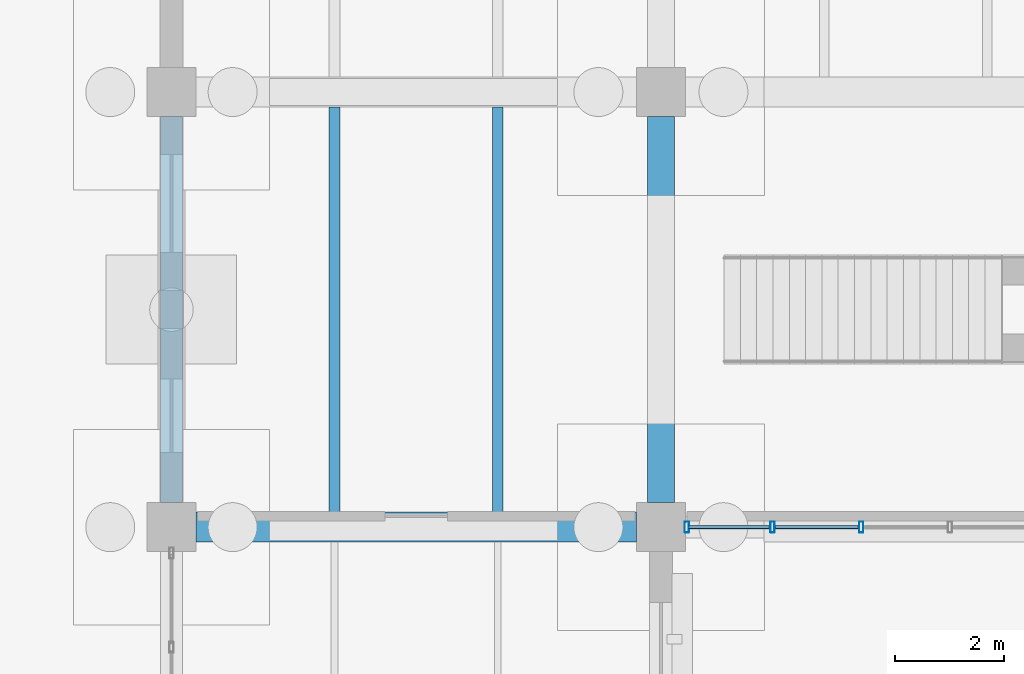
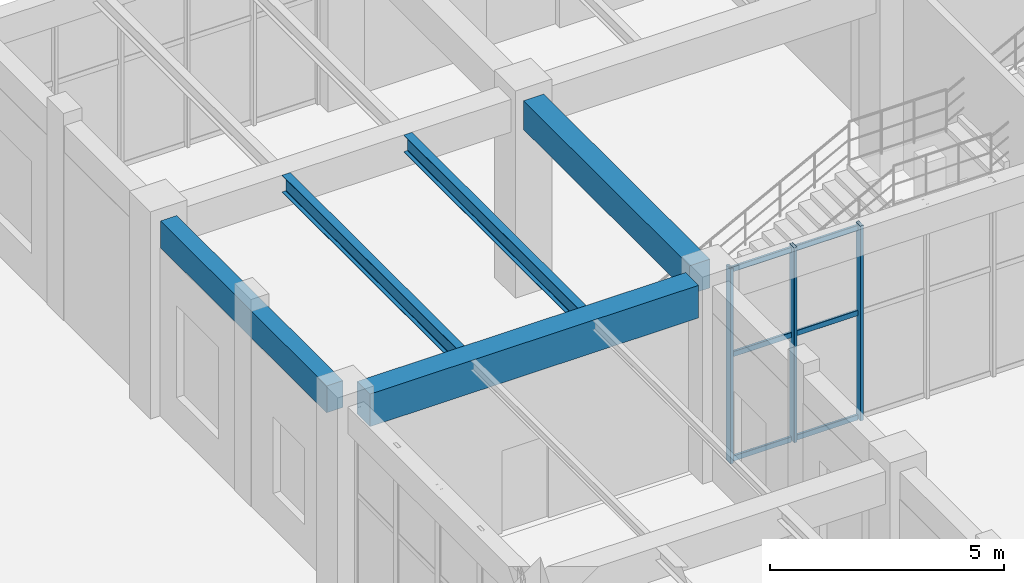
# One storey, part 48 of 121: 9 members, 5 beams, 1 element without a shape of its own.
"""IFC4 building model written with IfcOpenShell, lengths in metres."""

from ifc_helpers import new_model, si_unit, derived_unit, direction, frame, origin, origin_2d, place, context, subcontext, project, spatial, rectangle, hollow_rectangle, i_section, extrude, material, material_profile, profile_set, type_object, element, aggregate, save


model = new_model("IFC4")

# Units and contexts
model_context = context("Model", 3, precision=1e-05, world=origin(), true_north=direction((0.0, 1.0)))
body_context = subcontext(model_context, "Body", "Model", "MODEL_VIEW")
ifc_project = project(units=[si_unit("LENGTHUNIT", "METRE"), si_unit("AREAUNIT", "SQUARE_METRE"), si_unit("VOLUMEUNIT", "CUBIC_METRE"), si_unit("PLANEANGLEUNIT", "RADIAN"), si_unit("MASSUNIT", "GRAM", prefix="KILO"), derived_unit("THERMALTRANSMITTANCEUNIT", [(si_unit("MASSUNIT", "GRAM", prefix="KILO"), 1), (si_unit("TIMEUNIT", "SECOND"), -3), (si_unit("THERMODYNAMICTEMPERATUREUNIT", "KELVIN"), -1)])], contexts=[model_context])

# Site, building, storey
site_placement = place(None, origin())
site = spatial("IfcSite", under=ifc_project, at=site_placement, CompositionType="ELEMENT")
building_placement = place(site_placement, origin())
building = spatial("IfcBuilding", under=site, at=building_placement, Name="Zhenchuan Archway Interchange", CompositionType="ELEMENT")
storey_placement = place(building_placement, origin())
storey = spatial("IfcBuildingStorey", under=building, at=storey_placement, Name="L00", CompositionType="ELEMENT", Elevation=0.0)

# Beams
ifc_material_1 = material(Name="Concrete C40", Category="concrete")
ifc_material_profile_1 = material_profile(ifc_material_1, rectangle(XDim=0.5, YDim=0.75, at=origin_2d()), Name="RC 500x750")
ifc_profile_set_1 = profile_set([ifc_material_profile_1], Name="Concrete C40")
beam_type_1 = type_object("IfcBeamType", Name="BM_RC_500x750", PredefinedType="BEAM", material=ifc_profile_set_1)
beam_1_placement = place(storey_placement, frame((108.0, 88.449951171875, 4.705078125), z_axis=(0.0, 1.0, 0.0), x_axis=(-1.0, 0.0, 0.0)))
element("IfcBeam", 1, at=beam_1_placement, inside=storey, type_object=beam_type_1, Name="Beam 13:M-N (L00)", PredefinedType="BEAM", context=body_context, shape_type="SweptSolid", body=[
    extrude(rectangle(XDim=0.5, YDim=0.75, at=origin_2d()), origin(), (0.0, 0.0, 1.0), 7.10009765625),
])
ifc_material_profile_2 = material_profile(ifc_material_1, rectangle(XDim=0.550048828125, YDim=0.85009765625, at=origin_2d()), Name="RC 550x850")
ifc_profile_set_2 = profile_set([ifc_material_profile_2], Name="Concrete C40")
beam_type_2 = type_object("IfcBeamType", Name="BM_RC_550x850", PredefinedType="BEAM", material=ifc_profile_set_2)
beam_2_placement = place(storey_placement, frame((99.449951171875, 88.0, 4.655029296875), z_axis=(1.0, 0.0, 0.0), x_axis=(0.0, 1.0, 0.0)))
element("IfcBeam", 2, at=beam_2_placement, inside=storey, type_object=beam_type_2, Name="Beam M:12-13 (L00)", PredefinedType="BEAM", context=body_context, shape_type="SweptSolid", body=[
    extrude(rectangle(XDim=0.550048828125, YDim=0.85009765625, at=origin_2d()), origin(), (0.0, 0.0, 1.0), 8.10009765625),
])

# Curtain wall, members
ifc_material_2 = material(Name="Anodised Aluminium", Category="aluminium")
curtain_wall_type = type_object("IfcCurtainWallType", Name="CW_UNIT_1", PredefinedType="NOTDEFINED", material=ifc_material_2)
curtain_wall_placement = place(storey_placement, origin())
curtain_wall = element("IfcCurtainWall", 3, at=curtain_wall_placement, inside=storey, type_object=curtain_wall_type, Name="Unitised curtain wall CW:L00:024", PredefinedType="NOTDEFINED")
ifc_material_profile_3 = material_profile(ifc_material_2, hollow_rectangle(XDim=0.080078125, YDim=0.199951171875, WallThickness=0.00439453125, InnerFilletRadius=0.00439453125, OuterFilletRadius=0.009033203125, at=origin_2d()), Name="ALU 200x80x4.5")
ifc_profile_set_3 = profile_set([ifc_material_profile_3], Name="Anodised Aluminium")
member_type_1 = type_object("IfcMemberType", Name="CW_MUL_200", PredefinedType="MULLION", material=ifc_profile_set_3)
member_1_placement = place(storey_placement, frame((111.68359375, 88.0, 0.0), z_axis=(0.0, 0.0, 1.0), x_axis=(1.0, 0.0, 0.0)))
member_1 = element("IfcMember", 4, at=member_1_placement, type_object=member_type_1, Name="CW:L00:024 mullion 3", PredefinedType="MULLION", context=body_context, shape_type="SweptSolid", body=[
    extrude(hollow_rectangle(XDim=0.080078125, YDim=0.199951171875, WallThickness=0.00439453125, InnerFilletRadius=0.00439453125, OuterFilletRadius=0.009033203125, at=origin_2d()), origin(), (0.0, 0.0, 1.0), 5.080078125),
])
member_2_placement = place(storey_placement, frame((110.05078125, 88.0, 0.0), z_axis=(0.0, 0.0, 1.0), x_axis=(1.0, 0.0, 0.0)))
member_2 = element("IfcMember", 5, at=member_2_placement, type_object=member_type_1, Name="CW:L00:024 mullion 4", PredefinedType="MULLION", context=body_context, shape_type="SweptSolid", body=[
    extrude(hollow_rectangle(XDim=0.080078125, YDim=0.199951171875, WallThickness=0.00439453125, InnerFilletRadius=0.00439453125, OuterFilletRadius=0.009033203125, at=origin_2d()), origin(), (0.0, 0.0, 1.0), 5.080078125),
])
member_3_placement = place(storey_placement, frame((108.47802734375, 88.0, 0.0), z_axis=(0.0, 0.0, 1.0), x_axis=(1.0, 0.0, 0.0)))
member_3 = element("IfcMember", 6, at=member_3_placement, type_object=member_type_1, Name="CW:L00:024 mullion 5", PredefinedType="MULLION", context=body_context, shape_type="SweptSolid", body=[
    extrude(hollow_rectangle(XDim=0.080078125, YDim=0.199951171875, WallThickness=0.00439453125, InnerFilletRadius=0.00439453125, OuterFilletRadius=0.009033203125, at=origin_2d()), origin(), (0.0, 0.0, 1.0), 5.080078125),
])
ifc_material_profile_4 = material_profile(ifc_material_2, hollow_rectangle(XDim=0.06005859375, YDim=0.139892578125, WallThickness=0.00341796875, InnerFilletRadius=0.00341796875, OuterFilletRadius=0.007080078125, at=origin_2d()), Name="ALU 140x60x3.5")
ifc_profile_set_4 = profile_set([ifc_material_profile_4], Name="Anodised Aluminium")
member_type_2 = type_object("IfcMemberType", Name="CW_TRN_140", PredefinedType="USERDEFINED", material=ifc_profile_set_4)
member_4_placement = place(storey_placement, frame((111.62353515625, 88.0, 0.06005859375), z_axis=(-1.0, 0.0, 0.0), x_axis=(0.0, -1.0, 0.0)))
member_4 = element("IfcMember", 7, at=member_4_placement, type_object=member_type_2, Name="CW:L00:024 transom 3-1", ObjectType="TRANSOM", PredefinedType="USERDEFINED", context=body_context, shape_type="SweptSolid", body=[
    extrude(hollow_rectangle(XDim=0.06005859375, YDim=0.139892578125, WallThickness=0.00341796875, InnerFilletRadius=0.00341796875, OuterFilletRadius=0.007080078125, at=origin_2d()), origin(), (0.0, 0.0, 1.0), 1.5126953125),
])
member_5_placement = place(storey_placement, frame((111.62353515625, 88.0, 2.782958984375), z_axis=(-1.0, 0.0, 0.0), x_axis=(0.0, -1.0, 0.0)))
member_5 = element("IfcMember", 8, at=member_5_placement, type_object=member_type_2, Name="CW:L00:024 transom 3-2", ObjectType="TRANSOM", PredefinedType="USERDEFINED", context=body_context, shape_type="SweptSolid", body=[
    extrude(hollow_rectangle(XDim=0.06005859375, YDim=0.139892578125, WallThickness=0.00341796875, InnerFilletRadius=0.00341796875, OuterFilletRadius=0.007080078125, at=origin_2d()), origin(), (0.0, 0.0, 1.0), 1.5126953125),
])
member_6_placement = place(storey_placement, frame((111.62353515625, 88.0, 5.0), z_axis=(-1.0, 0.0, 0.0), x_axis=(0.0, -1.0, 0.0)))
member_6 = element("IfcMember", 9, at=member_6_placement, type_object=member_type_2, Name="CW:L00:024 transom 3-3", ObjectType="TRANSOM", PredefinedType="USERDEFINED", context=body_context, shape_type="SweptSolid", body=[
    extrude(hollow_rectangle(XDim=0.06005859375, YDim=0.139892578125, WallThickness=0.00341796875, InnerFilletRadius=0.00341796875, OuterFilletRadius=0.007080078125, at=origin_2d()), origin(), (0.0, 0.0, 1.0), 1.5126953125),
])
member_7_placement = place(storey_placement, frame((109.99072265625, 88.0, 0.06005859375), z_axis=(-1.0, 0.0, 0.0), x_axis=(0.0, -1.0, 0.0)))
member_7 = element("IfcMember", 10, at=member_7_placement, type_object=member_type_2, Name="CW:L00:024 transom 4-1", ObjectType="TRANSOM", PredefinedType="USERDEFINED", context=body_context, shape_type="SweptSolid", body=[
    extrude(hollow_rectangle(XDim=0.06005859375, YDim=0.139892578125, WallThickness=0.00341796875, InnerFilletRadius=0.00341796875, OuterFilletRadius=0.007080078125, at=origin_2d()), origin(), (0.0, 0.0, 1.0), 1.49267578125),
])
member_8_placement = place(storey_placement, frame((109.99072265625, 88.0, 2.782958984375), z_axis=(-1.0, 0.0, 0.0), x_axis=(0.0, -1.0, 0.0)))
member_8 = element("IfcMember", 11, at=member_8_placement, type_object=member_type_2, Name="CW:L00:024 transom 4-2", ObjectType="TRANSOM", PredefinedType="USERDEFINED", context=body_context, shape_type="SweptSolid", body=[
    extrude(hollow_rectangle(XDim=0.06005859375, YDim=0.139892578125, WallThickness=0.00341796875, InnerFilletRadius=0.00341796875, OuterFilletRadius=0.007080078125, at=origin_2d()), origin(), (0.0, 0.0, 1.0), 1.49267578125),
])
member_9_placement = place(storey_placement, frame((109.99072265625, 88.0, 5.0), z_axis=(-1.0, 0.0, 0.0), x_axis=(0.0, -1.0, 0.0)))
member_9 = element("IfcMember", 12, at=member_9_placement, type_object=member_type_2, Name="CW:L00:024 transom 4-3", ObjectType="TRANSOM", PredefinedType="USERDEFINED", context=body_context, shape_type="SweptSolid", body=[
    extrude(hollow_rectangle(XDim=0.06005859375, YDim=0.139892578125, WallThickness=0.00341796875, InnerFilletRadius=0.00341796875, OuterFilletRadius=0.007080078125, at=origin_2d()), origin(), (0.0, 0.0, 1.0), 1.49267578125),
])
aggregate(curtain_wall, [member_1, member_2, member_3, member_4, member_5, member_6, member_7, member_8, member_9])

# Beams
ifc_material_3 = material(Name="Steel Q355", Category="steel")
ifc_material_profile_5 = material_profile(ifc_material_3, i_section(OverallWidth=0.199951171875, OverallDepth=0.449951171875, WebThickness=0.009033203125, FlangeThickness=0.013916015625, FilletRadius=0.01806640625, at=origin_2d()), Name="HN 450x200")
ifc_profile_set_5 = profile_set([ifc_material_profile_5], Name="Steel Q355")
beam_type_3 = type_object("IfcBeamType", Name="JST_STL_HN450", PredefinedType="JOIST", material=ifc_profile_set_5)
for number, where, z_axis, x_axis, name in (
    (13, (102.0, 88.27490234375, 4.85498046875), (0.0, 1.0, 0.0), (-1.0, 0.0, 0.0), "Secondary joist 12-13/M-N #1 (L00)"),
    (14, (105.0, 88.27490234375, 4.85498046875), (0.0, 1.0, 0.0), (-1.0, 0.0, 0.0), "Secondary joist 12-13/M-N #2 (L00)"),
):
    element("IfcBeam", number, at=place(storey_placement, frame(where, z_axis=z_axis, x_axis=x_axis)), inside=storey, type_object=beam_type_3, Name=name, PredefinedType="JOIST", context=body_context, shape_type="SweptSolid", body=[
        extrude(i_section(OverallWidth=0.199951171875, OverallDepth=0.449951171875, WebThickness=0.009033203125, FlangeThickness=0.013916015625, FilletRadius=0.01806640625, at=origin_2d()), origin(), (0.0, 0.0, 1.0), 7.4501953125),
    ])
ifc_material_profile_6 = material_profile(ifc_material_1, rectangle(XDim=0.39990234375, YDim=0.699951171875, at=origin_2d()), Name="RC 400x700")
ifc_profile_set_6 = profile_set([ifc_material_profile_6], Name="Concrete C40")
beam_type_4 = type_object("IfcBeamType", Name="SP_RC_400x700", PredefinedType="SPANDREL", material=ifc_profile_set_6)
beam_3_placement = place(storey_placement, frame((99.0, 88.449951171875, 4.72998046875), z_axis=(0.0, 1.0, 0.0), x_axis=(-1.0, 0.0, 0.0)))
element("IfcBeam", 15, at=beam_3_placement, inside=storey, type_object=beam_type_4, Name="Beam 12:M-N (L00)", PredefinedType="SPANDREL", context=body_context, shape_type="SweptSolid", body=[
    extrude(rectangle(XDim=0.39990234375, YDim=0.699951171875, at=origin_2d()), origin(), (0.0, 0.0, 1.0), 7.10009765625),
])

save(model, "model.ifc")
